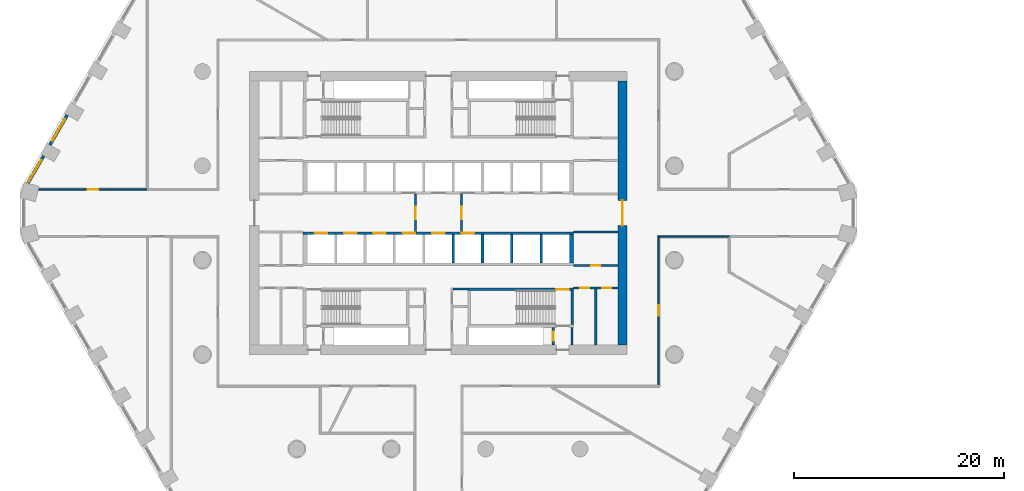
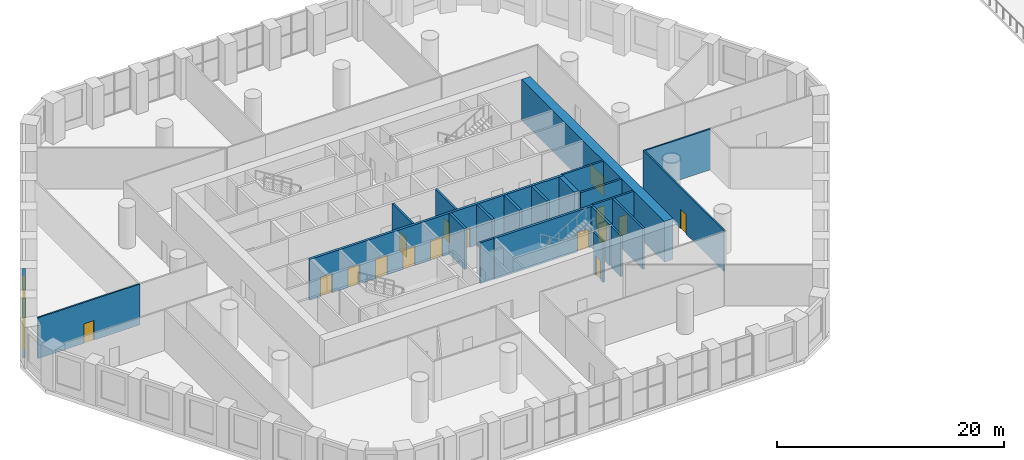
# One storey, part 9 of 21: 23 walls, 16 doors, 2 windows, 18 openings.
"""IFC4 building model written with IfcOpenShell, lengths in metres."""

from ifc_helpers import new_model, si_unit, direction, frame, frame_2d, origin, place, context, subcontext, project, spatial, polyline, rectangle, outline, extrude, material, layer, layer_set, type_object, element, fill, save


model = new_model("IFC4")

# Units and contexts
model_context = context("Model", 3, precision=1e-05, world=origin(), true_north=direction((0.0, 1.0)))
body_context = subcontext(model_context, "Body", "Model", "MODEL_VIEW")
ifc_project = project(units=[si_unit("LENGTHUNIT", "METRE"), si_unit("AREAUNIT", "SQUARE_METRE"), si_unit("VOLUMEUNIT", "CUBIC_METRE"), si_unit("PLANEANGLEUNIT", "RADIAN"), si_unit("MASSUNIT", "GRAM", prefix="KILO")], contexts=[model_context])

# Site, building, storey
site_placement = place(None, origin())
site = spatial("IfcSite", under=ifc_project, at=site_placement, CompositionType="ELEMENT")
building_placement = place(site_placement, origin())
building = spatial("IfcBuilding", under=site, at=building_placement, Name="Dhurran Vertical Campus", CompositionType="ELEMENT")
storey_placement = place(building_placement, frame((0.0, 0.0, 20.39990234375)))
storey = spatial("IfcBuildingStorey", under=building, at=storey_placement, Name="L04", CompositionType="ELEMENT", Elevation=20.39990234375)

# Wall, opening, window
ifc_material_1 = material(Name="Precast concrete C50/60", Category="concrete")
ifc_layer_1 = layer(ifc_material_1, 0.300048828125)
ifc_layer_set_1 = layer_set([ifc_layer_1], Name="Precast concrete C50/60")
wall_type_1 = type_object("IfcWallType", Name="Precast spandrel wall 300", PredefinedType="SOLIDWALL", material=ifc_layer_set_1)
wall_1_placement = place(storey_placement, frame((-35.394287109375, 9.34912109375, 0.0), z_axis=(0.0, 0.0, 1.0), x_axis=(-0.499991515992, -0.866030301974, 0.0)))
wall_1 = element("IfcWall", 1, at=wall_1_placement, inside=storey, type_object=wall_type_1, Name="EW1 L04.41", PredefinedType="SOLIDWALL", context=body_context, shape_type="SweptSolid", body=[
    extrude(rectangle(XDim=3.298828125, YDim=0.300048828125, at=frame_2d((1.6494140625, 0.0))), origin(), (0.0, 0.0, 1.0), 4.400146484375),
])
opening_1_placement = place(wall_1_placement, frame((0.449462890625, 0.0, 0.89990234375)))
opening_1 = element("IfcOpeningElement", 2, at=opening_1_placement, cuts=wall_1, Name="Opening WT2", PredefinedType="OPENING", context=body_context, shape_type="SweptSolid", body=[
    extrude(rectangle(XDim=2.39990234375, YDim=3.0, at=frame_2d((1.199951171875, 1.5))), frame((0.0, 0.159912109375, 0.0), z_axis=(0.0, -1.0, 0.0), x_axis=(1.0, 0.0, 0.0)), (0.0, 0.0, 1.0), 0.320068359375),
])
ifc_material_2 = material(Name="Aluminium frame with solar-control glass", Category="aluminium")
window_type = type_object("IfcWindowType", Name="Podium window 2400 x 3000", PartitioningType="SINGLE_PANEL", PredefinedType="WINDOW", material=ifc_material_2)
window_1_placement = place(opening_1_placement, origin())
window_1 = element("IfcWindow", 3, at=window_1_placement, inside=storey, type_object=window_type, Name="WT2 L04.41", OverallHeight=3.0, OverallWidth=2.39990234375, PartitioningType="SINGLE_PANEL", PredefinedType="WINDOW", context=body_context, shape_type="SweptSolid", body=[
    extrude(rectangle(XDim=2.39990234375, YDim=3.0, at=frame_2d((1.199951171875, 1.5))), frame((0.0, 0.030029296875, 0.0), z_axis=(0.0, -1.0, 0.0), x_axis=(1.0, 0.0, 0.0)), (0.0, 0.0, 1.0), 0.06005859375),
])
fill(opening_1, window_1)

wall_2_placement = place(storey_placement, frame((-37.644287109375, 5.4521484375, 0.0), z_axis=(0.0, 0.0, 1.0), x_axis=(-0.49999586137, -0.866027793211, 0.0)))
wall_2 = element("IfcWall", 4, at=wall_2_placement, inside=storey, type_object=wall_type_1, Name="EW1 L04.42", PredefinedType="SOLIDWALL", context=body_context, shape_type="SweptSolid", body=[
    extrude(rectangle(XDim=2.98876953125, YDim=0.300048828125, at=frame_2d((1.494384765625, 0.0))), origin(), (0.0, 0.0, 1.0), 4.400146484375),
])
opening_2_placement = place(wall_2_placement, frame((0.449462890625, 0.0, 0.89990234375)))
opening_2 = element("IfcOpeningElement", 5, at=opening_2_placement, cuts=wall_2, Name="Opening WT2", PredefinedType="OPENING", context=body_context, shape_type="SweptSolid", body=[
    extrude(rectangle(XDim=2.39990234375, YDim=3.0, at=frame_2d((1.199951171875, 1.5))), frame((0.0, 0.159912109375, 0.0), z_axis=(0.0, -1.0, 0.0), x_axis=(1.0, 0.0, 0.0)), (0.0, 0.0, 1.0), 0.320068359375),
])
window_2_placement = place(opening_2_placement, origin())
window_2 = element("IfcWindow", 6, at=window_2_placement, inside=storey, type_object=window_type, Name="WT2 L04.42", OverallHeight=3.0, OverallWidth=2.39990234375, PartitioningType="SINGLE_PANEL", PredefinedType="WINDOW", context=body_context, shape_type="SweptSolid", body=[
    extrude(rectangle(XDim=2.39990234375, YDim=3.0, at=frame_2d((1.199951171875, 1.5))), frame((0.0, 0.030029296875, 0.0), z_axis=(0.0, -1.0, 0.0), x_axis=(1.0, 0.0, 0.0)), (0.0, 0.0, 1.0), 0.06005859375),
])
fill(opening_2, window_2)

# Wall, opening, door
ifc_material_3 = material(Name="Concrete C60/75", Category="concrete")
ifc_layer_2 = layer(ifc_material_3, 0.89990234375)
ifc_layer_set_2 = layer_set([ifc_layer_2], Name="Concrete C60/75")
wall_type_2 = type_object("IfcWallType", Name="co-CORE-WALL-C0-900", PredefinedType="SHEAR", material=ifc_layer_set_2)
wall_3_placement = place(storey_placement, frame((17.550048828125, -12.60009765625, 0.0), z_axis=(0.0, 0.0, 1.0), x_axis=(0.0, 1.0, 0.0)))
wall_3 = element("IfcWall", 7, at=wall_3_placement, inside=storey, type_object=wall_type_2, Name="Core wall E L04", PredefinedType="SHEAR", context=body_context, shape_type="SweptSolid", body=[
    extrude(rectangle(XDim=25.2001953125, YDim=0.89990234375, at=frame_2d((12.60009765625, 0.0))), origin(), (0.0, 0.0, 1.0), 4.400146484375),
])
opening_3_placement = place(wall_3_placement, frame((11.39990234375, 0.0, 0.0)))
opening_3 = element("IfcOpeningElement", 8, at=opening_3_placement, cuts=wall_3, Name="Opening CL2", PredefinedType="OPENING", context=body_context, shape_type="SweptSolid", body=[
    extrude(rectangle(XDim=2.39990234375, YDim=2.10009765625, at=frame_2d((1.199951171875, 1.050048828125))), frame((0.0, 0.4599609375, 0.0), z_axis=(0.0, -1.0, 0.0), x_axis=(1.0, 0.0, 0.0)), (0.0, 0.0, 1.0), 0.919921875),
])
ifc_material_4 = material(Name="Fire-rated glazed door set")
door_type_1 = type_object("IfcDoorType", Name="co-D-LOBBY 2400x2100", OperationType="DOUBLE_DOOR_DOUBLE_SWING", PredefinedType="DOOR", material=ifc_material_4)
door_1_placement = place(opening_3_placement, origin())
door_1 = element("IfcDoor", 9, at=door_1_placement, inside=storey, type_object=door_type_1, Name="Lift lobby door E L04", OperationType="DOUBLE_DOOR_DOUBLE_SWING", OverallHeight=2.10009765625, OverallWidth=2.39990234375, PredefinedType="DOOR", context=body_context, shape_type="SweptSolid", body=[
    extrude(rectangle(XDim=2.39990234375, YDim=2.10009765625, at=frame_2d((1.199951171875, 1.050048828125))), frame((0.0, 0.02490234375, 0.0), z_axis=(0.0, -1.0, 0.0), x_axis=(1.0, 0.0, 0.0)), (0.0, 0.0, 1.0), 0.050048828125),
])
fill(opening_3, door_1)

ifc_material_5 = material(Name="Fire-rated masonry blockwork", Category="masonry")
ifc_layer_3 = layer(ifc_material_5, 0.199951171875)
ifc_layer_set_3 = layer_set([ifc_layer_3], Name="Fire-rated masonry blockwork")
wall_type_3 = type_object("IfcWallType", Name="co-FIRE-PARTITION-200", PredefinedType="PARTITIONING", material=ifc_layer_set_3)
wall_4_placement = place(storey_placement, frame((-2.199951171875, -1.800048828125, 0.0), z_axis=(0.0, 0.0, 1.0), x_axis=(0.0, 1.0, 0.0)))
wall_4 = element("IfcWall", 10, at=wall_4_placement, inside=storey, type_object=wall_type_3, Name="Firefighting lobby wall W L04", PredefinedType="PARTITIONING", context=body_context, shape_type="SweptSolid", body=[
    extrude(rectangle(XDim=3.60009765625, YDim=0.199951171875, at=frame_2d((1.800048828125, 0.0))), origin(), (0.0, 0.0, 1.0), 4.400146484375),
])
opening_4_placement = place(wall_4_placement, frame((1.199951171875, 0.0, 0.0)))
opening_4 = element("IfcOpeningElement", 11, at=opening_4_placement, cuts=wall_4, Name="Opening FL1", PredefinedType="OPENING", context=body_context, shape_type="SweptSolid", body=[
    extrude(rectangle(XDim=1.199951171875, YDim=2.10009765625, at=frame_2d((0.60009765625, 1.050048828125))), frame((0.0, 0.10986328125, 0.0), z_axis=(0.0, -1.0, 0.0), x_axis=(1.0, 0.0, 0.0)), (0.0, 0.0, 1.0), 0.219970703125),
])
ifc_material_6 = material(Name="Fire-rated steel door set", Category="steel")
door_type_2 = type_object("IfcDoorType", Name="co-D-FFLOBBY 1200x2100", OperationType="SINGLE_SWING_LEFT", PredefinedType="DOOR", material=ifc_material_6)
door_2_placement = place(opening_4_placement, origin())
door_2 = element("IfcDoor", 12, at=door_2_placement, inside=storey, type_object=door_type_2, Name="Firefighting lobby door W L04", OperationType="SINGLE_SWING_LEFT", OverallHeight=2.10009765625, OverallWidth=1.199951171875, PredefinedType="DOOR", context=body_context, shape_type="SweptSolid", body=[
    extrude(rectangle(XDim=1.199951171875, YDim=2.10009765625, at=frame_2d((0.60009765625, 1.050048828125))), frame((0.0, 0.02490234375, 0.0), z_axis=(0.0, -1.0, 0.0), x_axis=(1.0, 0.0, 0.0)), (0.0, 0.0, 1.0), 0.050048828125),
])
fill(opening_4, door_2)

wall_5_placement = place(storey_placement, frame((2.199951171875, -1.800048828125, 0.0), z_axis=(0.0, 0.0, 1.0), x_axis=(0.0, 1.0, 0.0)))
wall_5 = element("IfcWall", 13, at=wall_5_placement, inside=storey, type_object=wall_type_3, Name="Firefighting lobby wall E L04", PredefinedType="PARTITIONING", context=body_context, shape_type="SweptSolid", body=[
    extrude(rectangle(XDim=3.60009765625, YDim=0.199951171875, at=frame_2d((1.800048828125, 0.0))), origin(), (0.0, 0.0, 1.0), 4.400146484375),
])
opening_5_placement = place(wall_5_placement, frame((1.199951171875, 0.0, 0.0)))
opening_5 = element("IfcOpeningElement", 14, at=opening_5_placement, cuts=wall_5, Name="Opening FL2", PredefinedType="OPENING", context=body_context, shape_type="SweptSolid", body=[
    extrude(rectangle(XDim=1.199951171875, YDim=2.10009765625, at=frame_2d((0.60009765625, 1.050048828125))), frame((0.0, 0.10986328125, 0.0), z_axis=(0.0, -1.0, 0.0), x_axis=(1.0, 0.0, 0.0)), (0.0, 0.0, 1.0), 0.219970703125),
])
door_3_placement = place(opening_5_placement, origin())
door_3 = element("IfcDoor", 15, at=door_3_placement, inside=storey, type_object=door_type_2, Name="Firefighting lobby door E L04", OperationType="SINGLE_SWING_LEFT", OverallHeight=2.10009765625, OverallWidth=1.199951171875, PredefinedType="DOOR", context=body_context, shape_type="SweptSolid", body=[
    extrude(rectangle(XDim=1.199951171875, YDim=2.10009765625, at=frame_2d((0.60009765625, 1.050048828125))), frame((0.0, 0.02490234375, 0.0), z_axis=(0.0, -1.0, 0.0), x_axis=(1.0, 0.0, 0.0)), (0.0, 0.0, 1.0), 0.050048828125),
])
fill(opening_5, door_3)

# Walls
wall_6_placement = place(storey_placement, frame((1.39990234375, -7.25, 0.0), z_axis=(0.0, 0.0, 1.0), x_axis=(1.0, 0.0, 0.0)))
element("IfcWall", 16, at=wall_6_placement, inside=storey, type_object=wall_type_3, Name="Core partition sl-SE-S L04", PredefinedType="PARTITIONING", context=body_context, shape_type="SweptSolid", body=[
    extrude(rectangle(XDim=1.400146484375, YDim=0.199951171875, at=frame_2d((0.7001953125, 0.0))), origin(), (0.0, 0.0, 1.0), 4.400146484375),
])
wall_7_placement = place(storey_placement, frame((12.75, -12.60009765625, 0.0), z_axis=(0.0, 0.0, 1.0), x_axis=(0.0, 1.0, 0.0)))
element("IfcWall", 17, at=wall_7_placement, inside=storey, type_object=wall_type_3, Name="Core partition pass-ST4-o L04", PredefinedType="PARTITIONING", context=body_context, shape_type="SweptSolid", body=[
    extrude(rectangle(XDim=1.7001953125, YDim=0.199951171875, at=frame_2d((0.85009765625, 0.0))), origin(), (0.0, 0.0, 1.0), 4.400146484375),
])

# Wall, opening, door
wall_8_placement = place(storey_placement, frame((10.949951171875, -12.60009765625, 0.0), z_axis=(0.0, 0.0, 1.0), x_axis=(0.0, 1.0, 0.0)))
wall_8 = element("IfcWall", 18, at=wall_8_placement, inside=storey, type_object=wall_type_3, Name="Core partition pass-ST4-i L04", PredefinedType="PARTITIONING", context=body_context, shape_type="SweptSolid", body=[
    extrude(rectangle(XDim=1.7001953125, YDim=0.199951171875, at=frame_2d((0.85009765625, 0.0))), origin(), (0.0, 0.0, 1.0), 4.400146484375),
])
opening_6_placement = place(wall_8_placement, frame((0.39990234375, 0.0, 0.0)))
opening_6 = element("IfcOpeningElement", 19, at=opening_6_placement, cuts=wall_8, Name="Opening PD04-C12", PredefinedType="OPENING", context=body_context, shape_type="SweptSolid", body=[
    extrude(rectangle(XDim=0.89990234375, YDim=2.10009765625, at=frame_2d((0.449951171875, 1.050048828125))), frame((0.0, 0.10986328125, 0.0), z_axis=(0.0, -1.0, 0.0), x_axis=(1.0, 0.0, 0.0)), (0.0, 0.0, 1.0), 0.219970703125),
])
ifc_material_7 = material(Name="Fire-rated timber door set", Category="wood")
door_type_3 = type_object("IfcDoorType", Name="co-D-ROOM 900x2100", OperationType="SINGLE_SWING_LEFT", PredefinedType="DOOR", material=ifc_material_7)
door_4_placement = place(opening_6_placement, origin())
door_4 = element("IfcDoor", 20, at=door_4_placement, inside=storey, type_object=door_type_3, Name="Riser room door L04", OperationType="SINGLE_SWING_LEFT", OverallHeight=2.10009765625, OverallWidth=0.89990234375, PredefinedType="DOOR", context=body_context, shape_type="SweptSolid", body=[
    extrude(rectangle(XDim=0.89990234375, YDim=2.10009765625, at=frame_2d((0.449951171875, 1.050048828125))), frame((0.0, 0.02490234375, 0.0), z_axis=(0.0, -1.0, 0.0), x_axis=(1.0, 0.0, 0.0)), (0.0, 0.0, 1.0), 0.050048828125),
])
fill(opening_6, door_4)

# Wall
wall_9_placement = place(storey_placement, frame((15.0, -12.60009765625, 0.0), z_axis=(0.0, 0.0, 1.0), x_axis=(0.0, 1.0, 0.0)))
element("IfcWall", 21, at=wall_9_placement, inside=storey, type_object=wall_type_3, Name="Core partition en-SE-cut0 L04", PredefinedType="PARTITIONING", context=body_context, shape_type="SweptSolid", body=[
    extrude(rectangle(XDim=5.4501953125, YDim=0.199951171875, at=frame_2d((2.72509765625, 0.0))), origin(), (0.0, 0.0, 1.0), 4.400146484375),
])

# Wall, openings, doors
wall_10_placement = place(storey_placement, frame((12.89990234375, -7.14990234375, 0.0), z_axis=(0.0, 0.0, 1.0), x_axis=(1.0, 0.0, 0.0)))
wall_10 = element("IfcWall", 22, at=wall_10_placement, inside=storey, type_object=wall_type_3, Name="Core partition en-SE-w L04", PredefinedType="PARTITIONING", context=body_context, shape_type="SweptSolid", body=[
    extrude(rectangle(XDim=4.2001953125, YDim=0.199951171875, at=frame_2d((2.10009765625, 0.0))), origin(), (0.0, 0.0, 1.0), 4.400146484375),
])
opening_7_placement = place(wall_10_placement, frame((0.60009765625, 0.0, 0.0)))
opening_7 = element("IfcOpeningElement", 23, at=opening_7_placement, cuts=wall_10, Name="Opening PD04-C22", PredefinedType="OPENING", context=body_context, shape_type="SweptSolid", body=[
    extrude(rectangle(XDim=0.89990234375, YDim=2.10009765625, at=frame_2d((0.449951171875, 1.050048828125))), frame((0.0, 0.10986328125, 0.0), z_axis=(0.0, -1.0, 0.0), x_axis=(1.0, 0.0, 0.0)), (0.0, 0.0, 1.0), 0.219970703125),
])
opening_8_placement = place(wall_10_placement, frame((2.699951171875, 0.0, 0.0)))
opening_8 = element("IfcOpeningElement", 24, at=opening_8_placement, cuts=wall_10, Name="Opening PD04-C23", PredefinedType="OPENING", context=body_context, shape_type="SweptSolid", body=[
    extrude(rectangle(XDim=0.89990234375, YDim=2.10009765625, at=frame_2d((0.449951171875, 1.050048828125))), frame((0.0, 0.10986328125, 0.0), z_axis=(0.0, -1.0, 0.0), x_axis=(1.0, 0.0, 0.0)), (0.0, 0.0, 1.0), 0.219970703125),
])
door_5_placement = place(opening_7_placement, origin())
door_5 = element("IfcDoor", 25, at=door_5_placement, inside=storey, type_object=door_type_3, Name="Cleaner's store door L04", OperationType="SINGLE_SWING_LEFT", OverallHeight=2.10009765625, OverallWidth=0.89990234375, PredefinedType="DOOR", context=body_context, shape_type="SweptSolid", body=[
    extrude(rectangle(XDim=0.89990234375, YDim=2.10009765625, at=frame_2d((0.449951171875, 1.050048828125))), frame((0.0, 0.02490234375, 0.0), z_axis=(0.0, -1.0, 0.0), x_axis=(1.0, 0.0, 0.0)), (0.0, 0.0, 1.0), 0.050048828125),
])
fill(opening_7, door_5)
door_6_placement = place(opening_8_placement, origin())
door_6 = element("IfcDoor", 26, at=door_6_placement, inside=storey, type_object=door_type_3, Name="Electrical riser door L04", OperationType="SINGLE_SWING_LEFT", OverallHeight=2.10009765625, OverallWidth=0.89990234375, PredefinedType="DOOR", context=body_context, shape_type="SweptSolid", body=[
    extrude(rectangle(XDim=0.89990234375, YDim=2.10009765625, at=frame_2d((0.449951171875, 1.050048828125))), frame((0.0, 0.02490234375, 0.0), z_axis=(0.0, -1.0, 0.0), x_axis=(1.0, 0.0, 0.0)), (0.0, 0.0, 1.0), 0.050048828125),
])
fill(opening_8, door_6)

# Wall, opening, door
wall_11_placement = place(storey_placement, frame((12.89990234375, -5.0, 0.0), z_axis=(0.0, 0.0, 1.0), x_axis=(1.0, 0.0, 0.0)))
wall_11 = element("IfcWall", 27, at=wall_11_placement, inside=storey, type_object=wall_type_3, Name="Core partition es-SE-w L04", PredefinedType="PARTITIONING", context=body_context, shape_type="SweptSolid", body=[
    extrude(rectangle(XDim=4.2001953125, YDim=0.199951171875, at=frame_2d((2.10009765625, 0.0))), origin(), (0.0, 0.0, 1.0), 4.400146484375),
])
opening_9_placement = place(wall_11_placement, frame((1.64990234375, 0.0, 0.0)))
opening_9 = element("IfcOpeningElement", 28, at=opening_9_placement, cuts=wall_11, Name="Opening PD04-C24", PredefinedType="OPENING", context=body_context, shape_type="SweptSolid", body=[
    extrude(rectangle(XDim=0.89990234375, YDim=2.10009765625, at=frame_2d((0.449951171875, 1.050048828125))), frame((0.0, 0.10986328125, 0.0), z_axis=(0.0, -1.0, 0.0), x_axis=(1.0, 0.0, 0.0)), (0.0, 0.0, 1.0), 0.219970703125),
])
door_7_placement = place(opening_9_placement, origin())
door_7 = element("IfcDoor", 29, at=door_7_placement, inside=storey, type_object=door_type_3, Name="Plant room door L04", OperationType="SINGLE_SWING_LEFT", OverallHeight=2.10009765625, OverallWidth=0.89990234375, PredefinedType="DOOR", context=body_context, shape_type="SweptSolid", body=[
    extrude(rectangle(XDim=0.89990234375, YDim=2.10009765625, at=frame_2d((0.449951171875, 1.050048828125))), frame((0.0, 0.02490234375, 0.0), z_axis=(0.0, -1.0, 0.0), x_axis=(1.0, 0.0, 0.0)), (0.0, 0.0, 1.0), 0.050048828125),
])
fill(opening_9, door_7)

# Wall
wall_12_placement = place(storey_placement, frame((12.89990234375, -1.800048828125, 0.0), z_axis=(0.0, 0.0, 1.0), x_axis=(1.0, 0.0, 0.0)))
element("IfcWall", 30, at=wall_12_placement, inside=storey, type_object=wall_type_3, Name="Core partition es-SE-l L04", PredefinedType="PARTITIONING", context=body_context, shape_type="SweptSolid", body=[
    extrude(rectangle(XDim=4.2001953125, YDim=0.199951171875, at=frame_2d((2.10009765625, 0.0))), origin(), (0.0, 0.0, 1.0), 4.400146484375),
])

# Wall, openings, doors
ifc_material_8 = material(Name="Concrete C50/60", Category="concrete")
ifc_layer_4 = layer(ifc_material_8, 0.25)
ifc_layer_set_4 = layer_set([ifc_layer_4], Name="Concrete C50/60")
wall_type_4 = type_object("IfcWallType", Name="co-SHAFT-FRONT-250", PredefinedType="SHEAR", material=ifc_layer_set_4)
wall_13_placement = place(storey_placement, frame((-12.89990234375, -1.925048828125, 0.0), z_axis=(0.0, 0.0, 1.0), x_axis=(1.0, 0.0, 0.0)))
wall_13 = element("IfcWall", 31, at=wall_13_placement, inside=storey, type_object=wall_type_4, Name="Lift landing wall S L04", PredefinedType="SHEAR", context=body_context, shape_type="SweptSolid", body=[
    extrude(rectangle(XDim=25.7998046875, YDim=0.25, at=frame_2d((12.89990234375, 0.0))), origin(), (0.0, 0.0, 1.0), 4.400146484375),
])
opening_10_placement = place(wall_13_placement, frame((1.10009765625, 0.0, 0.0)))
opening_10 = element("IfcOpeningElement", 32, at=opening_10_placement, cuts=wall_13, Name="Opening LD", PredefinedType="OPENING", context=body_context, shape_type="SweptSolid", body=[
    extrude(rectangle(XDim=1.199951171875, YDim=2.10009765625, at=frame_2d((0.60009765625, 1.050048828125))), frame((0.0, 0.135009765625, 0.0), z_axis=(0.0, -1.0, 0.0), x_axis=(1.0, 0.0, 0.0)), (0.0, 0.0, 1.0), 0.27001953125),
])
opening_11_placement = place(wall_13_placement, frame((3.89990234375, 0.0, 0.0)))
opening_11 = element("IfcOpeningElement", 33, at=opening_11_placement, cuts=wall_13, Name="Opening LD", PredefinedType="OPENING", context=body_context, shape_type="SweptSolid", body=[
    extrude(rectangle(XDim=1.199951171875, YDim=2.10009765625, at=frame_2d((0.60009765625, 1.050048828125))), frame((0.0, 0.135009765625, 0.0), z_axis=(0.0, -1.0, 0.0), x_axis=(1.0, 0.0, 0.0)), (0.0, 0.0, 1.0), 0.27001953125),
])
opening_12_placement = place(wall_13_placement, frame((6.699951171875, 0.0, 0.0)))
opening_12 = element("IfcOpeningElement", 34, at=opening_12_placement, cuts=wall_13, Name="Opening LD", PredefinedType="OPENING", context=body_context, shape_type="SweptSolid", body=[
    extrude(rectangle(XDim=1.199951171875, YDim=2.10009765625, at=frame_2d((0.60009765625, 1.050048828125))), frame((0.0, 0.135009765625, 0.0), z_axis=(0.0, -1.0, 0.0), x_axis=(1.0, 0.0, 0.0)), (0.0, 0.0, 1.0), 0.27001953125),
])
opening_13_placement = place(wall_13_placement, frame((9.5, 0.0, 0.0)))
opening_13 = element("IfcOpeningElement", 35, at=opening_13_placement, cuts=wall_13, Name="Opening LD", PredefinedType="OPENING", context=body_context, shape_type="SweptSolid", body=[
    extrude(rectangle(XDim=1.199951171875, YDim=2.10009765625, at=frame_2d((0.60009765625, 1.050048828125))), frame((0.0, 0.135009765625, 0.0), z_axis=(0.0, -1.0, 0.0), x_axis=(1.0, 0.0, 0.0)), (0.0, 0.0, 1.0), 0.27001953125),
])
opening_14_placement = place(wall_13_placement, frame((12.300048828125, 0.0, 0.0)))
opening_14 = element("IfcOpeningElement", 36, at=opening_14_placement, cuts=wall_13, Name="Opening LD", PredefinedType="OPENING", context=body_context, shape_type="SweptSolid", body=[
    extrude(rectangle(XDim=1.199951171875, YDim=2.10009765625, at=frame_2d((0.60009765625, 1.050048828125))), frame((0.0, 0.135009765625, 0.0), z_axis=(0.0, -1.0, 0.0), x_axis=(1.0, 0.0, 0.0)), (0.0, 0.0, 1.0), 0.27001953125),
])
opening_15_placement = place(wall_13_placement, frame((15.10009765625, 0.0, 0.0)))
opening_15 = element("IfcOpeningElement", 37, at=opening_15_placement, cuts=wall_13, Name="Opening LD", PredefinedType="OPENING", context=body_context, shape_type="SweptSolid", body=[
    extrude(rectangle(XDim=1.199951171875, YDim=2.10009765625, at=frame_2d((0.60009765625, 1.050048828125))), frame((0.0, 0.135009765625, 0.0), z_axis=(0.0, -1.0, 0.0), x_axis=(1.0, 0.0, 0.0)), (0.0, 0.0, 1.0), 0.27001953125),
])
ifc_material_9 = material(Name="Stainless steel landing door", Category="steel")
door_type_4 = type_object("IfcDoorType", Name="co-D-LANDING 1200x2100", OperationType="DOUBLE_DOOR_SLIDING", PredefinedType="DOOR", material=ifc_material_9)
door_8_placement = place(opening_10_placement, origin())
door_8 = element("IfcDoor", 38, at=door_8_placement, inside=storey, type_object=door_type_4, Name="Landing door LR5 L04", OperationType="DOUBLE_DOOR_SLIDING", OverallHeight=2.10009765625, OverallWidth=1.199951171875, PredefinedType="DOOR", context=body_context, shape_type="SweptSolid", body=[
    extrude(rectangle(XDim=1.199951171875, YDim=2.10009765625, at=frame_2d((0.60009765625, 1.050048828125))), frame((0.0, 0.02490234375, 0.0), z_axis=(0.0, -1.0, 0.0), x_axis=(1.0, 0.0, 0.0)), (0.0, 0.0, 1.0), 0.050048828125),
])
fill(opening_10, door_8)
door_9_placement = place(opening_11_placement, origin())
door_9 = element("IfcDoor", 39, at=door_9_placement, inside=storey, type_object=door_type_4, Name="Landing door LR6 L04", OperationType="DOUBLE_DOOR_SLIDING", OverallHeight=2.10009765625, OverallWidth=1.199951171875, PredefinedType="DOOR", context=body_context, shape_type="SweptSolid", body=[
    extrude(rectangle(XDim=1.199951171875, YDim=2.10009765625, at=frame_2d((0.60009765625, 1.050048828125))), frame((0.0, 0.02490234375, 0.0), z_axis=(0.0, -1.0, 0.0), x_axis=(1.0, 0.0, 0.0)), (0.0, 0.0, 1.0), 0.050048828125),
])
fill(opening_11, door_9)
door_10_placement = place(opening_12_placement, origin())
door_10 = element("IfcDoor", 40, at=door_10_placement, inside=storey, type_object=door_type_4, Name="Landing door LR7 L04", OperationType="DOUBLE_DOOR_SLIDING", OverallHeight=2.10009765625, OverallWidth=1.199951171875, PredefinedType="DOOR", context=body_context, shape_type="SweptSolid", body=[
    extrude(rectangle(XDim=1.199951171875, YDim=2.10009765625, at=frame_2d((0.60009765625, 1.050048828125))), frame((0.0, 0.02490234375, 0.0), z_axis=(0.0, -1.0, 0.0), x_axis=(1.0, 0.0, 0.0)), (0.0, 0.0, 1.0), 0.050048828125),
])
fill(opening_12, door_10)
door_11_placement = place(opening_13_placement, origin())
door_11 = element("IfcDoor", 41, at=door_11_placement, inside=storey, type_object=door_type_4, Name="Landing door LR8 L04", OperationType="DOUBLE_DOOR_SLIDING", OverallHeight=2.10009765625, OverallWidth=1.199951171875, PredefinedType="DOOR", context=body_context, shape_type="SweptSolid", body=[
    extrude(rectangle(XDim=1.199951171875, YDim=2.10009765625, at=frame_2d((0.60009765625, 1.050048828125))), frame((0.0, 0.02490234375, 0.0), z_axis=(0.0, -1.0, 0.0), x_axis=(1.0, 0.0, 0.0)), (0.0, 0.0, 1.0), 0.050048828125),
])
fill(opening_13, door_11)
door_12_placement = place(opening_14_placement, origin())
door_12 = element("IfcDoor", 42, at=door_12_placement, inside=storey, type_object=door_type_4, Name="Landing door FF2 L04", OperationType="DOUBLE_DOOR_SLIDING", OverallHeight=2.10009765625, OverallWidth=1.199951171875, PredefinedType="DOOR", context=body_context, shape_type="SweptSolid", body=[
    extrude(rectangle(XDim=1.199951171875, YDim=2.10009765625, at=frame_2d((0.60009765625, 1.050048828125))), frame((0.0, 0.02490234375, 0.0), z_axis=(0.0, -1.0, 0.0), x_axis=(1.0, 0.0, 0.0)), (0.0, 0.0, 1.0), 0.050048828125),
])
fill(opening_14, door_12)
door_13_placement = place(opening_15_placement, origin())
door_13 = element("IfcDoor", 43, at=door_13_placement, inside=storey, type_object=door_type_4, Name="Landing door SV1 L04", OperationType="DOUBLE_DOOR_SLIDING", OverallHeight=2.10009765625, OverallWidth=1.199951171875, PredefinedType="DOOR", context=body_context, shape_type="SweptSolid", body=[
    extrude(rectangle(XDim=1.199951171875, YDim=2.10009765625, at=frame_2d((0.60009765625, 1.050048828125))), frame((0.0, 0.02490234375, 0.0), z_axis=(0.0, -1.0, 0.0), x_axis=(1.0, 0.0, 0.0)), (0.0, 0.0, 1.0), 0.050048828125),
])
fill(opening_15, door_13)

# Walls
ifc_material_10 = material(Name="Concrete C50/60", Category="concrete")
ifc_layer_5 = layer(ifc_material_10, 0.25)
ifc_layer_set_5 = layer_set([ifc_layer_5], Name="Concrete C50/60")
wall_type_5 = type_object("IfcWallType", Name="co-SHAFT-MASS-250", PredefinedType="SHEAR", material=ifc_layer_set_5)
wall_14_placement = place(storey_placement, origin())
element("IfcWall", 44, at=wall_14_placement, inside=storey, type_object=wall_type_5, Name="Lift shaft wall S L04 7", PredefinedType="SHEAR", context=body_context, shape_type="SweptSolid", body=[
    extrude(outline(polyline([(1.27490234375, -4.75), (1.52490234375, -4.75), (1.52490234375, -2.050048828125), (1.27490234375, -2.050048828125), (1.27490234375, -4.75)])), origin(), (0.0, 0.0, 1.0), 4.400146484375),
])
wall_15_placement = place(storey_placement, origin())
element("IfcWall", 45, at=wall_15_placement, inside=storey, type_object=wall_type_5, Name="Lift shaft wall S L04 8", PredefinedType="SHEAR", context=body_context, shape_type="SweptSolid", body=[
    extrude(outline(polyline([(4.074951171875, -4.75), (4.324951171875, -4.75), (4.324951171875, -2.050048828125), (4.074951171875, -2.050048828125), (4.074951171875, -4.75)])), origin(), (0.0, 0.0, 1.0), 4.400146484375),
])
wall_16_placement = place(storey_placement, origin())
element("IfcWall", 46, at=wall_16_placement, inside=storey, type_object=wall_type_5, Name="Lift shaft wall S L04 9", PredefinedType="SHEAR", context=body_context, shape_type="SweptSolid", body=[
    extrude(outline(polyline([(6.875, -4.75), (7.125, -4.75), (7.125, -2.050048828125), (6.875, -2.050048828125), (6.875, -4.75)])), origin(), (0.0, 0.0, 1.0), 4.400146484375),
])
wall_17_placement = place(storey_placement, origin())
element("IfcWall", 47, at=wall_17_placement, inside=storey, type_object=wall_type_5, Name="Lift shaft wall S L04 10", PredefinedType="SHEAR", context=body_context, shape_type="SweptSolid", body=[
    extrude(outline(polyline([(9.675048828125, -4.75), (9.925048828125, -4.75), (9.925048828125, -2.050048828125), (9.675048828125, -2.050048828125), (9.675048828125, -4.75)])), origin(), (0.0, 0.0, 1.0), 4.400146484375),
])
wall_18_placement = place(storey_placement, origin())
element("IfcWall", 48, at=wall_18_placement, inside=storey, type_object=wall_type_5, Name="Lift shaft wall S L04 11", PredefinedType="SHEAR", context=body_context, shape_type="SweptSolid", body=[
    extrude(outline(polyline([(12.47509765625, -4.75), (12.89990234375, -4.75), (12.89990234375, -2.050048828125), (12.47509765625, -2.050048828125), (12.47509765625, -4.75)])), origin(), (0.0, 0.0, 1.0), 4.400146484375),
])

# Wall, opening, door
ifc_material_11 = material(Name="Concrete C40/50", Category="concrete")
ifc_layer_6 = layer(ifc_material_11, 0.25)
ifc_layer_set_6 = layer_set([ifc_layer_6], Name="Concrete C40/50")
wall_type_6 = type_object("IfcWallType", Name="co-STAIR-WALL-250", PredefinedType="SHEAR", material=ifc_layer_set_6)
wall_19_placement = place(storey_placement, frame((2.800048828125, -7.27490234375, 0.0), z_axis=(0.0, 0.0, 1.0), x_axis=(1.0, 0.0, 0.0)))
wall_19 = element("IfcWall", 49, at=wall_19_placement, inside=storey, type_object=wall_type_6, Name="Stair ST4 enclosure wall L04", PredefinedType="SHEAR", context=body_context, shape_type="SweptSolid", body=[
    extrude(rectangle(XDim=10.099853515625, YDim=0.25, at=frame_2d((5.0498046875, 0.0))), origin(), (0.0, 0.0, 1.0), 4.400146484375),
])
opening_16_placement = place(wall_19_placement, frame((8.449951171875, 0.0, 0.0)))
opening_16 = element("IfcOpeningElement", 50, at=opening_16_placement, cuts=wall_19, Name="Opening SD4", PredefinedType="OPENING", context=body_context, shape_type="SweptSolid", body=[
    extrude(rectangle(XDim=1.199951171875, YDim=2.10009765625, at=frame_2d((0.60009765625, 1.050048828125))), frame((0.0, 0.135009765625, 0.0), z_axis=(0.0, -1.0, 0.0), x_axis=(1.0, 0.0, 0.0)), (0.0, 0.0, 1.0), 0.27001953125),
])
ifc_material_12 = material(Name="Fire-rated steel door set", Category="steel")
door_type_5 = type_object("IfcDoorType", Name="co-D-STAIR 1200x2100", OperationType="SINGLE_SWING_LEFT", PredefinedType="DOOR", material=ifc_material_12)
door_14_placement = place(opening_16_placement, origin())
door_14 = element("IfcDoor", 51, at=door_14_placement, inside=storey, type_object=door_type_5, Name="Stair ST4 door L04", OperationType="SINGLE_SWING_LEFT", OverallHeight=2.10009765625, OverallWidth=1.199951171875, PredefinedType="DOOR", context=body_context, shape_type="SweptSolid", body=[
    extrude(rectangle(XDim=1.199951171875, YDim=2.10009765625, at=frame_2d((0.60009765625, 1.050048828125))), frame((0.0, 0.02490234375, 0.0), z_axis=(0.0, -1.0, 0.0), x_axis=(1.0, 0.0, 0.0)), (0.0, 0.0, 1.0), 0.050048828125),
])
fill(opening_16, door_14)

# Wall
wall_20_placement = place(storey_placement, frame((12.77490234375, -10.64990234375, 0.0), z_axis=(0.0, 0.0, 1.0), x_axis=(0.0, 1.0, 0.0)))
element("IfcWall", 52, at=wall_20_placement, inside=storey, type_object=wall_type_6, Name="Stair ST4 enclosure wall L04", PredefinedType="SHEAR", context=body_context, shape_type="SweptSolid", body=[
    extrude(rectangle(XDim=3.25, YDim=0.25, at=frame_2d((1.625, 0.0))), origin(), (0.0, 0.0, 1.0), 4.400146484375),
])

# Wall, opening, door
ifc_material_13 = material(Name="Gypsum board corridor wall on steel studs", Category="steel")
ifc_layer_7 = layer(ifc_material_13, 0.14990234375)
ifc_layer_set_7 = layer_set([ifc_layer_7], Name="Gypsum board corridor wall on steel studs")
wall_type_7 = type_object("IfcWallType", Name="fl-CW-150 corridor wall", PredefinedType="PARTITIONING", material=ifc_layer_set_7)
wall_21_placement = place(storey_placement, frame((-38.115478515625, 2.25, 0.0), z_axis=(0.0, 0.0, 1.0), x_axis=(1.0, 0.0, 0.0)))
wall_21 = element("IfcWall", 53, at=wall_21_placement, inside=storey, type_object=wall_type_7, Name="Partition 04-02", PredefinedType="PARTITIONING", context=body_context, shape_type="SweptSolid", body=[
    extrude(rectangle(XDim=10.365478515625, YDim=0.14990234375, at=frame_2d((5.1826171875, 0.0))), origin(), (0.0, 0.0, 1.0), 4.400146484375),
])
opening_17_placement = place(wall_21_placement, frame((4.6826171875, 0.0, 0.0)))
opening_17 = element("IfcOpeningElement", 54, at=opening_17_placement, cuts=wall_21, Name="Opening PD04.02", PredefinedType="OPENING", context=body_context, shape_type="SweptSolid", body=[
    extrude(rectangle(XDim=1.0, YDim=2.10009765625, at=frame_2d((0.5, 1.050048828125))), frame((0.0, 0.0849609375, 0.0), z_axis=(0.0, -1.0, 0.0), x_axis=(1.0, 0.0, 0.0)), (0.0, 0.0, 1.0), 0.169921875),
])
ifc_material_14 = material(Name="Solid-core timber door set, fire-rated", Category="wood")
door_type_6 = type_object("IfcDoorType", Name="fl-D-1000x2100", OperationType="SINGLE_SWING_LEFT", PredefinedType="DOOR", material=ifc_material_14)
door_15_placement = place(opening_17_placement, origin())
door_15 = element("IfcDoor", 55, at=door_15_placement, inside=storey, type_object=door_type_6, Name="Door 04.02", OperationType="SINGLE_SWING_RIGHT", OverallHeight=2.10009765625, OverallWidth=1.0, PredefinedType="DOOR", context=body_context, shape_type="SweptSolid", body=[
    extrude(rectangle(XDim=1.0, YDim=2.10009765625, at=frame_2d((0.5, 1.050048828125))), frame((0.0, 0.02490234375, 0.0), z_axis=(0.0, -1.0, 0.0), x_axis=(1.0, 0.0, 0.0)), (0.0, 0.0, 1.0), 0.050048828125),
])
fill(opening_17, door_15)

wall_22_placement = place(storey_placement, frame((21.0, -16.425048828125, 0.0), z_axis=(0.0, 0.0, 1.0), x_axis=(0.0, 1.0, 0.0)))
wall_22 = element("IfcWall", 56, at=wall_22_placement, inside=storey, type_object=wall_type_7, Name="Partition 04-34", PredefinedType="PARTITIONING", context=body_context, shape_type="SweptSolid", body=[
    extrude(rectangle(XDim=14.25, YDim=0.14990234375, at=frame_2d((7.125, 0.0))), origin(), (0.0, 0.0, 1.0), 4.400146484375),
])
opening_18_placement = place(wall_22_placement, frame((6.625, 0.0, 0.0)))
opening_18 = element("IfcOpeningElement", 57, at=opening_18_placement, cuts=wall_22, Name="Opening PD04.13", PredefinedType="OPENING", context=body_context, shape_type="SweptSolid", body=[
    extrude(rectangle(XDim=1.0, YDim=2.10009765625, at=frame_2d((0.5, 1.050048828125))), frame((0.0, 0.0849609375, 0.0), z_axis=(0.0, -1.0, 0.0), x_axis=(1.0, 0.0, 0.0)), (0.0, 0.0, 1.0), 0.169921875),
])
door_16_placement = place(opening_18_placement, origin())
door_16 = element("IfcDoor", 58, at=door_16_placement, inside=storey, type_object=door_type_6, Name="Door 04.13", OperationType="SINGLE_SWING_RIGHT", OverallHeight=2.10009765625, OverallWidth=1.0, PredefinedType="DOOR", context=body_context, shape_type="SweptSolid", body=[
    extrude(rectangle(XDim=1.0, YDim=2.10009765625, at=frame_2d((0.5, 1.050048828125))), frame((0.0, 0.02490234375, 0.0), z_axis=(0.0, -1.0, 0.0), x_axis=(1.0, 0.0, 0.0)), (0.0, 0.0, 1.0), 0.050048828125),
])
fill(opening_18, door_16)

# Wall
wall_23_placement = place(storey_placement, frame((27.75, -2.25, 0.0), z_axis=(0.0, 0.0, 1.0), x_axis=(-1.0, 0.0, 0.0)))
element("IfcWall", 59, at=wall_23_placement, inside=storey, type_object=wall_type_7, Name="Partition 04-35", PredefinedType="PARTITIONING", context=body_context, shape_type="SweptSolid", body=[
    extrude(rectangle(XDim=6.675048828125, YDim=0.14990234375, at=frame_2d((3.33740234375, 0.0))), origin(), (0.0, 0.0, 1.0), 4.400146484375),
])

save(model, "model.ifc")
